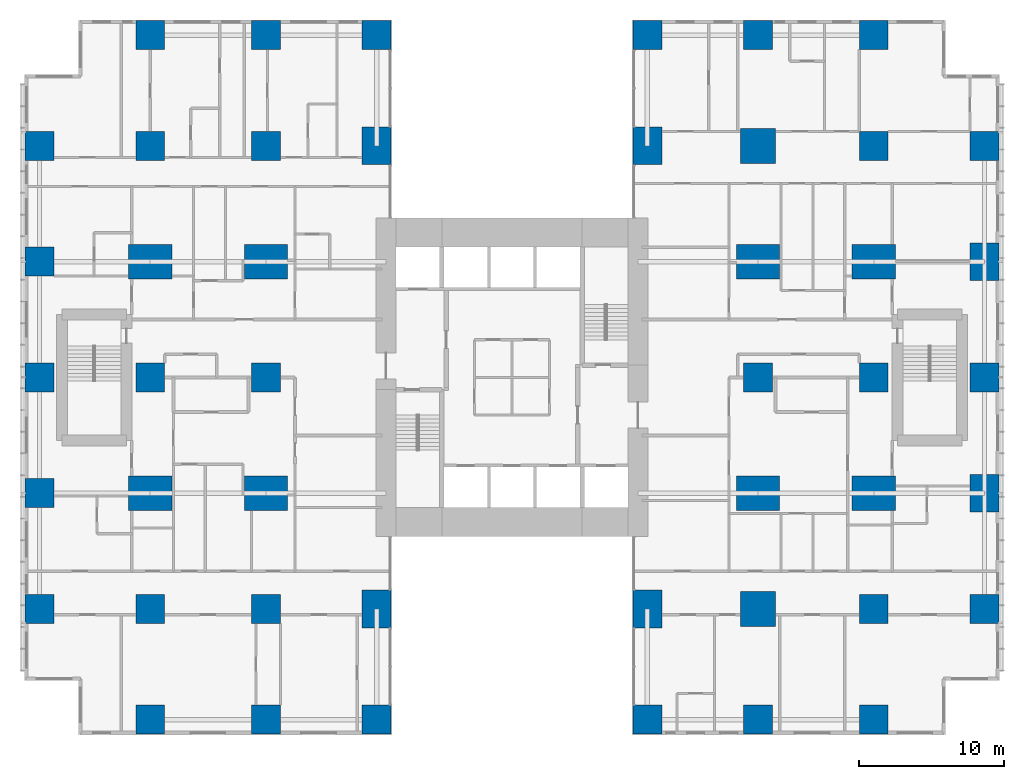
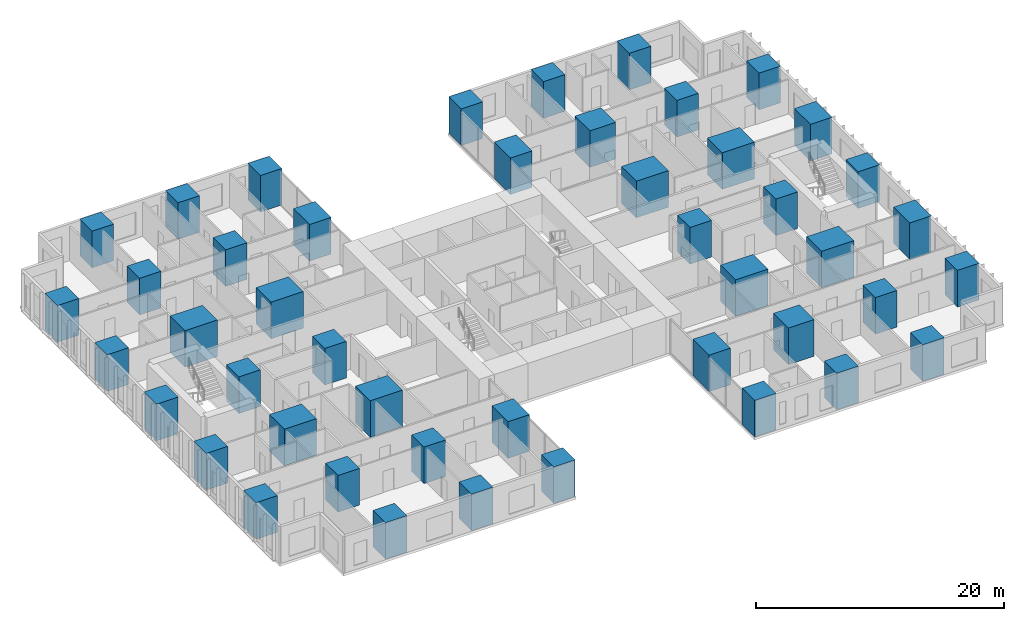
# One storey, part 1 of 20: 46 columns.
"""IFC4 building model written with IfcOpenShell, lengths in metres."""

from ifc_helpers import new_model, si_unit, direction, frame, origin, origin_2d, place, context, subcontext, project, spatial, rectangle, extrude, material, material_profile, profile_set, type_object, element, save


model = new_model("IFC4")

# Units and contexts
model_context = context("Model", 3, precision=1e-05, world=origin(), true_north=direction((0.0, 1.0)))
body_context = subcontext(model_context, "Body", "Model", "MODEL_VIEW")
ifc_project = project(units=[si_unit("LENGTHUNIT", "METRE"), si_unit("AREAUNIT", "SQUARE_METRE"), si_unit("VOLUMEUNIT", "CUBIC_METRE"), si_unit("PLANEANGLEUNIT", "RADIAN"), si_unit("MASSUNIT", "GRAM", prefix="KILO")], contexts=[model_context])

# Site, building, storey
site_placement = place(None, origin())
site = spatial("IfcSite", under=ifc_project, at=site_placement, CompositionType="ELEMENT")
building_placement = place(site_placement, origin())
building = spatial("IfcBuilding", under=site, at=building_placement, Name="Cleftline Residences", CompositionType="ELEMENT")
storey_placement = place(building_placement, frame((0.0, 0.0, 110.60009765625)))
storey = spatial("IfcBuildingStorey", under=building, at=storey_placement, Name="L28", CompositionType="ELEMENT", Elevation=110.60009765625)

# Columns
ifc_material_1 = material(Name="Concrete B70", Category="concrete")
ifc_material_profile_1 = material_profile(ifc_material_1, rectangle(XDim=2.0, YDim=2.0, at=origin_2d()))
ifc_profile_set_1 = profile_set([ifc_material_profile_1], Name="Concrete B70")
column_type_1 = type_object("IfcColumnType", Name="COLUMN RC2000X2000", PredefinedType="COLUMN", material=ifc_profile_set_1)
for number, where, z_axis, x_axis, name in (
    (1, (0.35009765625, 8.0, 0.0), (0.0, 0.0, 1.0), (1.0, 0.0, 0.0), "Column D/3"),
    (2, (0.35009765625, 16.0, 0.0), (0.0, 0.0, 1.0), (1.0, 0.0, 0.0), "Column E/3"),
    (3, (0.35009765625, 24.0, 0.0), (0.0, 0.0, 1.0), (1.0, 0.0, 0.0), "Column F/3"),
    (4, (0.35009765625, 32.0, 0.0), (0.0, 0.0, 1.0), (1.0, 0.0, 0.0), "Column G/3"),
    (5, (0.35009765625, 40.0, 0.0), (0.0, 0.0, 1.0), (1.0, 0.0, 0.0), "Column H/3"),
    (6, (8.0, 0.35009765625, 0.0), (0.0, 0.0, 1.0), (1.0, 0.0, 0.0), "Column C/4"),
    (7, (8.0, 8.0, 0.0), (0.0, 0.0, 1.0), (1.0, 0.0, 0.0), "Column D/4"),
    (8, (8.0, 24.0, 0.0), (0.0, 0.0, 1.0), (1.0, 0.0, 0.0), "Column F/4"),
    (9, (8.0, 40.0, 0.0), (0.0, 0.0, 1.0), (1.0, 0.0, 0.0), "Column H/4"),
    (10, (8.0, 47.64990234375, 0.0), (0.0, 0.0, 1.0), (1.0, 0.0, 0.0), "Column J/4"),
    (11, (16.0, 0.35009765625, 0.0), (0.0, 0.0, 1.0), (1.0, 0.0, 0.0), "Column C/5"),
    (12, (16.0, 8.0, 0.0), (0.0, 0.0, 1.0), (1.0, 0.0, 0.0), "Column D/5"),
    (13, (16.0, 24.0, 0.0), (0.0, 0.0, 1.0), (1.0, 0.0, 0.0), "Column F/5"),
    (14, (16.0, 40.0, 0.0), (0.0, 0.0, 1.0), (1.0, 0.0, 0.0), "Column H/5"),
    (15, (16.0, 47.64990234375, 0.0), (0.0, 0.0, 1.0), (1.0, 0.0, 0.0), "Column J/5"),
    (16, (23.64990234375, 0.35009765625, 0.0), (0.0, 0.0, 1.0), (1.0, 0.0, 0.0), "Column C/6"),
    (17, (23.64990234375, 47.64990234375, 0.0), (0.0, 0.0, 1.0), (1.0, 0.0, 0.0), "Column J/6"),
    (18, (42.35009765625, 0.35009765625, 0.0), (0.0, 0.0, 1.0), (1.0, 0.0, 0.0), "Column C/8"),
    (19, (42.35009765625, 47.64990234375, 0.0), (0.0, 0.0, 1.0), (1.0, 0.0, 0.0), "Column J/8"),
    (20, (50.0, 0.35009765625, 0.0), (0.0, 0.0, 1.0), (1.0, 0.0, 0.0), "Column C/9"),
    (21, (50.0, 24.0, 0.0), (0.0, 0.0, 1.0), (1.0, 0.0, 0.0), "Column F/9"),
    (22, (50.0, 47.64990234375, 0.0), (0.0, 0.0, 1.0), (1.0, 0.0, 0.0), "Column J/9"),
    (23, (58.0, 0.35009765625, 0.0), (0.0, 0.0, 1.0), (1.0, 0.0, 0.0), "Column C/10"),
    (24, (58.0, 8.0, 0.0), (0.0, 0.0, 1.0), (1.0, 0.0, 0.0), "Column D/10"),
    (25, (58.0, 24.0, 0.0), (0.0, 0.0, 1.0), (1.0, 0.0, 0.0), "Column F/10"),
    (26, (58.0, 40.0, 0.0), (0.0, 0.0, 1.0), (1.0, 0.0, 0.0), "Column H/10"),
    (27, (58.0, 47.64990234375, 0.0), (0.0, 0.0, 1.0), (1.0, 0.0, 0.0), "Column J/10"),
    (28, (65.64990234375, 8.0, 0.0), (0.0, 0.0, 1.0), (1.0, 0.0, 0.0), "Column D/11"),
    (29, (65.64990234375, 24.0, 0.0), (0.0, 0.0, 1.0), (1.0, 0.0, 0.0), "Column F/11"),
    (30, (65.64990234375, 40.0, 0.0), (0.0, 0.0, 1.0), (1.0, 0.0, 0.0), "Column H/11"),
):
    element("IfcColumn", number, at=place(storey_placement, frame(where, z_axis=z_axis, x_axis=x_axis)), inside=storey, type_object=column_type_1, Name=name, PredefinedType="COLUMN", context=body_context, shape_type="SweptSolid", body=[
        extrude(rectangle(XDim=2.0, YDim=2.0, at=origin_2d()), origin(), (0.0, 0.0, 1.0), 3.599853515625),
    ])
ifc_material_2 = material(Name="Concrete B70", Category="concrete")
ifc_material_profile_2 = material_profile(ifc_material_2, rectangle(XDim=2.0, YDim=2.60009765625, at=origin_2d()))
ifc_profile_set_2 = profile_set([ifc_material_profile_2], Name="Concrete B70")
column_type_2 = type_object("IfcColumnType", Name="COLUMN RC2000X2600", PredefinedType="COLUMN", material=ifc_profile_set_2)
for number, where, z_axis, x_axis, name in (
    (31, (23.64990234375, 8.0, 0.0), (0.0, 0.0, 1.0), (1.0, 0.0, 0.0), "Column D/6"),
    (32, (23.64990234375, 40.0, 0.0), (0.0, 0.0, 1.0), (1.0, 0.0, 0.0), "Column H/6"),
    (33, (42.35009765625, 8.0, 0.0), (0.0, 0.0, 1.0), (1.0, 0.0, 0.0), "Column D/8"),
    (34, (42.35009765625, 40.0, 0.0), (0.0, 0.0, 1.0), (1.0, 0.0, 0.0), "Column H/8"),
):
    element("IfcColumn", number, at=place(storey_placement, frame(where, z_axis=z_axis, x_axis=x_axis)), inside=storey, type_object=column_type_2, Name=name, PredefinedType="COLUMN", context=body_context, shape_type="SweptSolid", body=[
        extrude(rectangle(XDim=2.0, YDim=2.60009765625, at=origin_2d()), origin(), (0.0, 0.0, 1.0), 3.599853515625),
    ])
ifc_material_3 = material(Name="Concrete B70", Category="concrete")
ifc_material_profile_3 = material_profile(ifc_material_3, rectangle(XDim=2.39990234375, YDim=2.39990234375, at=origin_2d()))
ifc_profile_set_3 = profile_set([ifc_material_profile_3], Name="Concrete B70")
column_type_3 = type_object("IfcColumnType", Name="COLUMN RC2400X2400", PredefinedType="COLUMN", material=ifc_profile_set_3)
for number, where, z_axis, x_axis, name in (
    (35, (50.0, 8.0, 0.0), (0.0, 0.0, 1.0), (1.0, 0.0, 0.0), "Column D/9"),
    (36, (50.0, 40.0, 0.0), (0.0, 0.0, 1.0), (1.0, 0.0, 0.0), "Column H/9"),
):
    element("IfcColumn", number, at=place(storey_placement, frame(where, z_axis=z_axis, x_axis=x_axis)), inside=storey, type_object=column_type_3, Name=name, PredefinedType="COLUMN", context=body_context, shape_type="SweptSolid", body=[
        extrude(rectangle(XDim=2.39990234375, YDim=2.39990234375, at=origin_2d()), origin(), (0.0, 0.0, 1.0), 3.599853515625),
    ])
ifc_material_4 = material(Name="Concrete B70", Category="concrete")
ifc_material_profile_4 = material_profile(ifc_material_4, rectangle(XDim=2.60009765625, YDim=2.0, at=origin_2d()))
ifc_profile_set_4 = profile_set([ifc_material_profile_4], Name="Concrete B70")
column_type_4 = type_object("IfcColumnType", Name="COLUMN RC2600X2000", PredefinedType="COLUMN", material=ifc_profile_set_4)
for number, where, z_axis, x_axis, name in (
    (37, (65.64990234375, 16.0, 0.0), (0.0, 0.0, 1.0), (0.0, 1.0, 0.0), "Column E/11"),
    (38, (65.64990234375, 32.0, 0.0), (0.0, 0.0, 1.0), (0.0, 1.0, 0.0), "Column G/11"),
):
    element("IfcColumn", number, at=place(storey_placement, frame(where, z_axis=z_axis, x_axis=x_axis)), inside=storey, type_object=column_type_4, Name=name, PredefinedType="COLUMN", context=body_context, shape_type="SweptSolid", body=[
        extrude(rectangle(XDim=2.60009765625, YDim=2.0, at=origin_2d()), origin(), (0.0, 0.0, 1.0), 3.599853515625),
    ])
ifc_material_5 = material(Name="Concrete B70", Category="concrete")
ifc_material_profile_5 = material_profile(ifc_material_5, rectangle(XDim=3.0, YDim=2.39990234375, at=origin_2d()))
ifc_profile_set_5 = profile_set([ifc_material_profile_5], Name="Concrete B70")
column_type_5 = type_object("IfcColumnType", Name="COLUMN RC3000X2400", PredefinedType="COLUMN", material=ifc_profile_set_5)
for number, where, z_axis, x_axis, name in (
    (39, (8.0, 16.0, 0.0), (0.0, 0.0, 1.0), (1.0, 0.0, 0.0), "Column E/4"),
    (40, (8.0, 32.0, 0.0), (0.0, 0.0, 1.0), (1.0, 0.0, 0.0), "Column G/4"),
    (41, (16.0, 16.0, 0.0), (0.0, 0.0, 1.0), (1.0, 0.0, 0.0), "Column E/5"),
    (42, (16.0, 32.0, 0.0), (0.0, 0.0, 1.0), (1.0, 0.0, 0.0), "Column G/5"),
    (43, (50.0, 16.0, 0.0), (0.0, 0.0, 1.0), (1.0, 0.0, 0.0), "Column E/9"),
    (44, (50.0, 32.0, 0.0), (0.0, 0.0, 1.0), (1.0, 0.0, 0.0), "Column G/9"),
    (45, (58.0, 16.0, 0.0), (0.0, 0.0, 1.0), (1.0, 0.0, 0.0), "Column E/10"),
    (46, (58.0, 32.0, 0.0), (0.0, 0.0, 1.0), (1.0, 0.0, 0.0), "Column G/10"),
):
    element("IfcColumn", number, at=place(storey_placement, frame(where, z_axis=z_axis, x_axis=x_axis)), inside=storey, type_object=column_type_5, Name=name, PredefinedType="COLUMN", context=body_context, shape_type="SweptSolid", body=[
        extrude(rectangle(XDim=3.0, YDim=2.39990234375, at=origin_2d()), origin(), (0.0, 0.0, 1.0), 3.599853515625),
    ])

save(model, "model.ifc")
